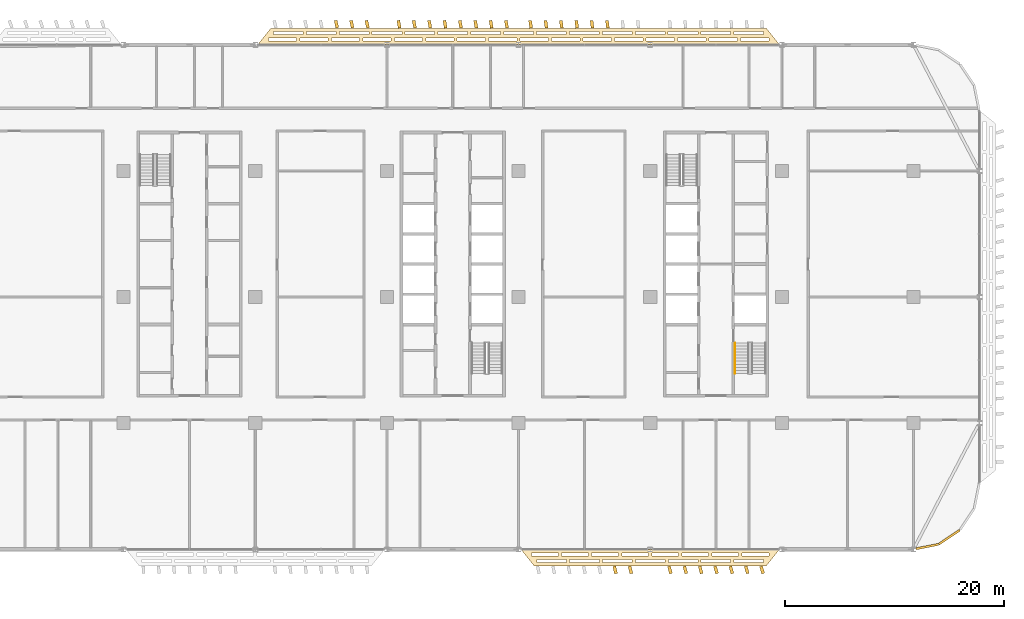
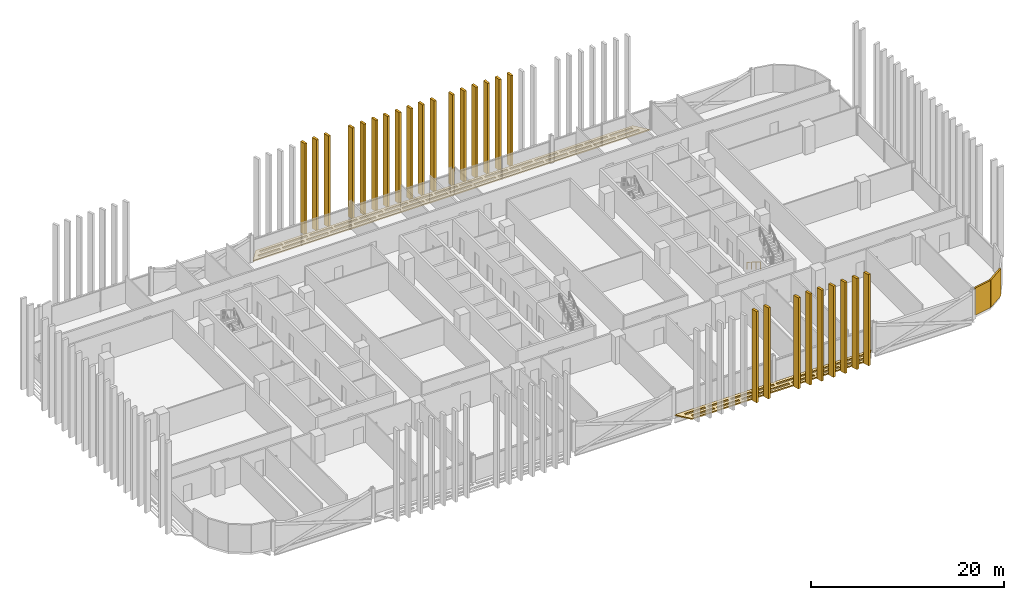
# One storey, part 26 of 28: 30 coverings, 1 railing.
"""IFC4 building model written with IfcOpenShell, lengths in metres."""

from ifc_helpers import new_model, si_unit, direction, frame, origin, origin_2d, place, context, subcontext, project, spatial, polyline, rectangle, circle, outline, extrude, material, layer, layer_set, type_object, element, save


model = new_model("IFC4")

# Units and contexts
model_context = context("Model", 3, precision=1e-05, world=origin(), true_north=direction((0.0, 1.0)))
body_context = subcontext(model_context, "Body", "Model", "MODEL_VIEW")
ifc_project = project(units=[si_unit("LENGTHUNIT", "METRE"), si_unit("AREAUNIT", "SQUARE_METRE"), si_unit("VOLUMEUNIT", "CUBIC_METRE"), si_unit("PLANEANGLEUNIT", "RADIAN"), si_unit("MASSUNIT", "GRAM", prefix="KILO")], contexts=[model_context])

# Site, building, storey
site_placement = place(None, origin())
site = spatial("IfcSite", under=ifc_project, at=site_placement, CompositionType="ELEMENT")
building_placement = place(site_placement, origin())
building = spatial("IfcBuilding", under=site, at=building_placement, Name="Mahtab Terrace Research Tower", CompositionType="ELEMENT")
storey_placement = place(building_placement, frame((0.0, 0.0, 174.39990234375)))
storey = spatial("IfcBuildingStorey", under=building, at=storey_placement, Name="L41", CompositionType="ELEMENT", Elevation=174.39990234375)

# Coverings
ifc_material_1 = material(Name="Black aluminium cladding panel", Category="aluminium")
ifc_layer_1 = layer(ifc_material_1, 0.199951171875)
ifc_layer_set_1 = layer_set([ifc_layer_1], Name="Black metal corner cladding 200")
covering_type_1 = type_object("IfcCoveringType", Name="Black metal corner cladding 200", PredefinedType="CLADDING", material=ifc_layer_set_1)
covering_1_placement = place(storey_placement, frame((43.25830078125, -22.74951171875, 0.0), z_axis=(0.0, 0.0, 1.0), x_axis=(0.980760981187, 0.195212442692, 0.0)))
element("IfcCovering", 1, at=covering_1_placement, inside=storey, type_object=covering_type_1, Name="Corner cladding L41 30", PredefinedType="CLADDING", context=body_context, shape_type="SweptSolid", body=[
    extrude(rectangle(XDim=2.07666015625, YDim=0.199951171875, at=origin_2d()), origin(), (0.0, 0.0, 1.0), 3.4599609375),
])
covering_2_placement = place(storey_placement, frame((45.26953125, -21.89306640625, 0.0), z_axis=(0.0, 0.0, 1.0), x_axis=(0.831655794326, 0.555291490808, 0.0)))
element("IfcCovering", 2, at=covering_2_placement, inside=storey, type_object=covering_type_1, Name="Corner cladding L41 31", PredefinedType="CLADDING", context=body_context, shape_type="SweptSolid", body=[
    extrude(rectangle(XDim=2.30126953125, YDim=0.199951171875, at=origin_2d()), origin(), (0.0, 0.0, 1.0), 3.4599609375),
])
ifc_material_2 = material(Name="Black anodised aluminium", Category="aluminium")
ifc_layer_2 = layer(ifc_material_2, 0.14990234375)
ifc_layer_set_2 = layer_set([ifc_layer_2], Name="Horizontal sunshade band")
covering_type_2 = type_object("IfcCoveringType", Name="Horizontal sunshade band", PredefinedType="CLADDING", material=ifc_layer_set_2)
covering_3_placement = place(storey_placement, frame((0.0, 0.0, -0.14990234375)))
element("IfcCovering", 3, at=covering_3_placement, inside=storey, type_object=covering_type_2, Name="Sunshade band L41 4", PredefinedType="CLADDING", context=body_context, shape_type="SweptSolid", body=[
    extrude(outline(polyline([(29.7919921875, 23.0), (-17.7919921875, 23.0), (-16.592041015625, 24.5), (28.592041015625, 24.5), (29.7919921875, 23.0)]), holes=[polyline([(28.81201171875, 23.35009765625), (26.241943359375, 23.35009765625), (26.241943359375, 23.60009765625), (28.81201171875, 23.60009765625), (28.81201171875, 23.35009765625)]), polyline([(25.94189453125, 23.35009765625), (23.37109375, 23.35009765625), (23.37109375, 23.60009765625), (25.94189453125, 23.60009765625), (25.94189453125, 23.35009765625)]), polyline([(23.072021484375, 23.35009765625), (20.5009765625, 23.35009765625), (20.5009765625, 23.60009765625), (23.072021484375, 23.60009765625), (23.072021484375, 23.35009765625)]), polyline([(20.200927734375, 23.35009765625), (17.631103515625, 23.35009765625), (17.631103515625, 23.60009765625), (20.200927734375, 23.60009765625), (20.200927734375, 23.35009765625)]), polyline([(17.3310546875, 23.35009765625), (14.760986328125, 23.35009765625), (14.760986328125, 23.60009765625), (17.3310546875, 23.60009765625), (17.3310546875, 23.35009765625)]), polyline([(14.4609375, 23.35009765625), (11.889892578125, 23.35009765625), (11.889892578125, 23.60009765625), (14.4609375, 23.60009765625), (14.4609375, 23.35009765625)]), polyline([(11.590087890625, 23.35009765625), (9.02001953125, 23.35009765625), (9.02001953125, 23.60009765625), (11.590087890625, 23.60009765625), (11.590087890625, 23.35009765625)]), polyline([(8.719970703125, 23.35009765625), (6.14990234375, 23.35009765625), (6.14990234375, 23.60009765625), (8.719970703125, 23.60009765625), (8.719970703125, 23.35009765625)]), polyline([(5.85009765625, 23.35009765625), (3.280029296875, 23.35009765625), (3.280029296875, 23.60009765625), (5.85009765625, 23.60009765625), (5.85009765625, 23.35009765625)]), polyline([(2.97998046875, 23.35009765625), (0.408935546875, 23.35009765625), (0.408935546875, 23.60009765625), (2.97998046875, 23.60009765625), (2.97998046875, 23.35009765625)]), polyline([(0.10888671875, 23.35009765625), (-2.4609375, 23.35009765625), (-2.4609375, 23.60009765625), (0.10888671875, 23.60009765625), (0.10888671875, 23.35009765625)]), polyline([(-2.760986328125, 23.35009765625), (-5.3310546875, 23.35009765625), (-5.3310546875, 23.60009765625), (-2.760986328125, 23.60009765625), (-2.760986328125, 23.35009765625)]), polyline([(-5.631103515625, 23.35009765625), (-8.200927734375, 23.35009765625), (-8.200927734375, 23.60009765625), (-5.631103515625, 23.60009765625), (-5.631103515625, 23.35009765625)]), polyline([(-8.5009765625, 23.35009765625), (-11.072021484375, 23.35009765625), (-11.072021484375, 23.60009765625), (-8.5009765625, 23.60009765625), (-8.5009765625, 23.35009765625)]), polyline([(-11.3720703125, 23.35009765625), (-13.94189453125, 23.35009765625), (-13.94189453125, 23.60009765625), (-11.3720703125, 23.60009765625), (-11.3720703125, 23.35009765625)]), polyline([(-14.241943359375, 23.35009765625), (-16.81201171875, 23.35009765625), (-16.81201171875, 23.60009765625), (-14.241943359375, 23.60009765625), (-14.241943359375, 23.35009765625)]), polyline([(28.33203125, 23.949951171875), (25.634033203125, 23.949951171875), (25.634033203125, 24.199951171875), (28.33203125, 24.199951171875), (28.33203125, 23.949951171875)]), polyline([(25.333984375, 23.949951171875), (22.636962890625, 23.949951171875), (22.636962890625, 24.199951171875), (25.333984375, 24.199951171875), (25.333984375, 23.949951171875)]), polyline([(22.3369140625, 23.949951171875), (19.638916015625, 23.949951171875), (19.638916015625, 24.199951171875), (22.3369140625, 24.199951171875), (22.3369140625, 23.949951171875)]), polyline([(19.339111328125, 23.949951171875), (16.64208984375, 23.949951171875), (16.64208984375, 24.199951171875), (19.339111328125, 24.199951171875), (19.339111328125, 23.949951171875)]), polyline([(16.342041015625, 23.949951171875), (13.64404296875, 23.949951171875), (13.64404296875, 24.199951171875), (16.342041015625, 24.199951171875), (16.342041015625, 23.949951171875)]), polyline([(13.343994140625, 23.949951171875), (10.64599609375, 23.949951171875), (10.64599609375, 24.199951171875), (13.343994140625, 24.199951171875), (13.343994140625, 23.949951171875)]), polyline([(10.345947265625, 23.949951171875), (7.64892578125, 23.949951171875), (7.64892578125, 24.199951171875), (10.345947265625, 24.199951171875), (10.345947265625, 23.949951171875)]), polyline([(7.34912109375, 23.949951171875), (4.65087890625, 23.949951171875), (4.65087890625, 24.199951171875), (7.34912109375, 24.199951171875), (7.34912109375, 23.949951171875)]), polyline([(4.35107421875, 23.949951171875), (1.654052734375, 23.949951171875), (1.654052734375, 24.199951171875), (4.35107421875, 24.199951171875), (4.35107421875, 23.949951171875)]), polyline([(1.35400390625, 23.949951171875), (-1.343994140625, 23.949951171875), (-1.343994140625, 24.199951171875), (1.35400390625, 24.199951171875), (1.35400390625, 23.949951171875)]), polyline([(-1.64404296875, 23.949951171875), (-4.342041015625, 23.949951171875), (-4.342041015625, 24.199951171875), (-1.64404296875, 24.199951171875), (-1.64404296875, 23.949951171875)]), polyline([(-4.64208984375, 23.949951171875), (-7.339111328125, 23.949951171875), (-7.339111328125, 24.199951171875), (-4.64208984375, 24.199951171875), (-4.64208984375, 23.949951171875)]), polyline([(-7.638916015625, 23.949951171875), (-10.3369140625, 23.949951171875), (-10.3369140625, 24.199951171875), (-7.638916015625, 24.199951171875), (-7.638916015625, 23.949951171875)]), polyline([(-10.636962890625, 23.949951171875), (-13.333984375, 23.949951171875), (-13.333984375, 24.199951171875), (-10.636962890625, 24.199951171875), (-10.636962890625, 23.949951171875)]), polyline([(-13.634033203125, 23.949951171875), (-16.33203125, 23.949951171875), (-16.33203125, 24.199951171875), (-13.634033203125, 24.199951171875), (-13.634033203125, 23.949951171875)])]), origin(), (0.0, 0.0, 1.0), 0.14990234375),
])
covering_4_placement = place(storey_placement, frame((0.0, 0.0, -0.14990234375)))
element("IfcCovering", 4, at=covering_4_placement, inside=storey, type_object=covering_type_2, Name="Sunshade band L41 27", PredefinedType="CLADDING", context=body_context, shape_type="SweptSolid", body=[
    extrude(outline(polyline([(6.2080078125, -23.0), (29.7919921875, -23.0), (28.592041015625, -24.5), (7.407958984375, -24.5), (6.2080078125, -23.0)]), holes=[polyline([(7.18798828125, -23.35009765625), (9.6279296875, -23.35009765625), (9.6279296875, -23.60009765625), (7.18798828125, -23.60009765625), (7.18798828125, -23.35009765625)]), polyline([(9.927978515625, -23.35009765625), (12.368896484375, -23.35009765625), (12.368896484375, -23.60009765625), (9.927978515625, -23.60009765625), (9.927978515625, -23.35009765625)]), polyline([(12.6689453125, -23.35009765625), (15.10888671875, -23.35009765625), (15.10888671875, -23.60009765625), (12.6689453125, -23.60009765625), (12.6689453125, -23.35009765625)]), polyline([(15.408935546875, -23.35009765625), (17.85009765625, -23.35009765625), (17.85009765625, -23.60009765625), (15.408935546875, -23.60009765625), (15.408935546875, -23.35009765625)]), polyline([(18.14990234375, -23.35009765625), (20.590087890625, -23.35009765625), (20.590087890625, -23.60009765625), (18.14990234375, -23.60009765625), (18.14990234375, -23.35009765625)]), polyline([(20.889892578125, -23.35009765625), (23.3310546875, -23.35009765625), (23.3310546875, -23.60009765625), (20.889892578125, -23.60009765625), (20.889892578125, -23.35009765625)]), polyline([(23.631103515625, -23.35009765625), (26.072021484375, -23.35009765625), (26.072021484375, -23.60009765625), (23.631103515625, -23.60009765625), (23.631103515625, -23.35009765625)]), polyline([(26.37109375, -23.35009765625), (28.81201171875, -23.35009765625), (28.81201171875, -23.60009765625), (26.37109375, -23.60009765625), (26.37109375, -23.35009765625)]), polyline([(7.66796875, -23.949951171875), (10.363037109375, -23.949951171875), (10.363037109375, -24.199951171875), (7.66796875, -24.199951171875), (7.66796875, -23.949951171875)]), polyline([(10.6630859375, -23.949951171875), (13.35791015625, -23.949951171875), (13.35791015625, -24.199951171875), (10.6630859375, -24.199951171875), (10.6630859375, -23.949951171875)]), polyline([(13.657958984375, -23.949951171875), (16.35302734375, -23.949951171875), (16.35302734375, -24.199951171875), (13.657958984375, -24.199951171875), (13.657958984375, -23.949951171875)]), polyline([(16.653076171875, -23.949951171875), (19.346923828125, -23.949951171875), (19.346923828125, -24.199951171875), (16.653076171875, -24.199951171875), (16.653076171875, -23.949951171875)]), polyline([(19.64697265625, -23.949951171875), (22.342041015625, -23.949951171875), (22.342041015625, -24.199951171875), (19.64697265625, -24.199951171875), (19.64697265625, -23.949951171875)]), polyline([(22.64208984375, -23.949951171875), (25.3369140625, -23.949951171875), (25.3369140625, -24.199951171875), (22.64208984375, -24.199951171875), (22.64208984375, -23.949951171875)]), polyline([(25.636962890625, -23.949951171875), (28.33203125, -23.949951171875), (28.33203125, -24.199951171875), (25.636962890625, -24.199951171875), (25.636962890625, -23.949951171875)])]), origin(), (0.0, 0.0, 1.0), 0.14990234375),
])

# Railing
ifc_material_3 = material(Name="Stainless steel AISI 304", Category="steel")
railing_type = type_object("IfcRailingType", Name="Stair handrail 900", PredefinedType="HANDRAIL", material=ifc_material_3)
railing_placement = place(storey_placement, frame((25.75, -4.175048828125, 0.1728515625)))
element("IfcRailing", 5, at=railing_placement, inside=storey, type_object=railing_type, Name="L41 ST4 stair handrail 1", PredefinedType="HANDRAIL", context=body_context, shape_type="SweptSolid", body=[
    extrude(circle(Radius=0.02392578125, at=origin_2d()), frame((0.0, 0.0, 0.8759765625), z_axis=(0.0, -0.851089632645, 0.525020415988), x_axis=(1.0, 0.0, 0.0)), (0.0, 0.0, 1.0), 3.2900390625),
    extrude(circle(Radius=0.02099609375, at=origin_2d()), origin(), (0.0, 0.0, 1.0), 0.851806640625),
    extrude(circle(Radius=0.02099609375, at=origin_2d()), frame((0.0, -0.933349609375, 0.57568359375)), (0.0, 0.0, 1.0), 0.851806640625),
    extrude(circle(Radius=0.02099609375, at=origin_2d()), frame((0.0, -1.86669921875, 1.151611328125)), (0.0, 0.0, 1.0), 0.851806640625),
    extrude(circle(Radius=0.02099609375, at=origin_2d()), frame((0.0, -2.800048828125, 1.727294921875)), (0.0, 0.0, 1.0), 0.851806640625),
])

# Coverings
ifc_material_4 = material(Name="Bronze anodised aluminium", Category="aluminium")
ifc_layer_3 = layer(ifc_material_4, 0.1201171875)
ifc_layer_set_3 = layer_set([ifc_layer_3], Name="Vertical fin 700")
covering_type_3 = type_object("IfcCoveringType", Name="Vertical fin 700", PredefinedType="CLADDING", material=ifc_layer_set_3)
for number, where, z_axis, x_axis, name in (
    (6, (14.10009765625, 24.86376953125, -0.14990234375), (0.0, 0.0, 1.0), (-0.993286514924, -0.115680159363, 0.0), "Fin L41 N3"),
    (7, (12.699951171875, 24.864501953125, -0.14990234375), (0.0, 0.0, 1.0), (-0.992596709305, -0.121456875788, 0.0), "Fin L41 N4"),
    (8, (11.300048828125, 24.864990234375, -0.14990234375), (0.0, 0.0, 1.0), (-0.991873307974, -0.127229481366, 0.0), "Fin L41 N5"),
    (9, (9.89990234375, 24.865478515625, -0.14990234375), (0.0, 0.0, 1.0), (-0.991116335419, -0.132997780682, 0.0), "Fin L41 N6"),
    (10, (8.5, 24.865966796875, -0.14990234375), (0.0, 0.0, 1.0), (-0.990325817258, -0.138761578517, 0.0), "Fin L41 N7"),
    (11, (7.10009765625, 24.866455078125, -0.14990234375), (0.0, 0.0, 1.0), (-0.989501780245, -0.144520679805, 0.0), "Fin L41 N8"),
    (12, (4.89990234375, 24.867431640625, -0.14990234375), (0.0, 0.0, 1.0), (-0.988139210661, -0.153560738323, 0.0), "Fin L41 N1"),
    (13, (3.5, 24.867919921875, -0.14990234375), (0.0, 0.0, 1.0), (-0.987229113116, -0.159306868073, 0.0), "Fin L41 N2"),
    (14, (2.10009765625, 24.868408203125, -0.14990234375), (0.0, 0.0, 1.0), (-0.986285601537, -0.165047605861, 0.0), "Fin L41 N3"),
    (15, (0.699951171875, 24.86865234375, -0.14990234375), (0.0, 0.0, 1.0), (-0.985308707855, -0.1707827574, 0.0), "Fin L41 N4"),
    (16, (-0.699951171875, 24.869140625, -0.14990234375), (0.0, 0.0, 1.0), (-0.984298465131, -0.176512128594, 0.0), "Fin L41 N5"),
    (17, (-2.10009765625, 24.86962890625, -0.14990234375), (0.0, 0.0, 1.0), (-0.983254907564, -0.182235525492, 0.0), "Fin L41 N6"),
    (18, (-3.5, 24.8701171875, -0.14990234375), (0.0, 0.0, 1.0), (-0.982178070472, -0.187952754394, 0.0), "Fin L41 N7"),
    (19, (-4.89990234375, 24.87060546875, -0.14990234375), (0.0, 0.0, 1.0), (-0.981067990298, -0.193663621811, 0.0), "Fin L41 N8"),
    (20, (-7.800048828125, 24.871337890625, -0.14990234375), (0.0, 0.0, 1.0), (-0.978662951719, -0.205472204767, 0.0), "Fin L41 N1"),
    (21, (-9.199951171875, 24.87158203125, -0.14990234375), (0.0, 0.0, 1.0), (-0.97745100758, -0.211162325667, 0.0), "Fin L41 N2"),
    (22, (-10.60009765625, 24.8720703125, -0.14990234375), (0.0, 0.0, 1.0), (-0.976205980352, -0.216845299523, 0.0), "Fin L41 N3"),
    (23, (14.800048828125, -24.873046875, -0.14990234375), (0.0, 0.0, 1.0), (0.972272827152, 0.233849416469, 0.0), "Fin L41 S6"),
    (24, (16.199951171875, -24.873291015625, -0.14990234375), (0.0, 0.0, 1.0), (0.970895900159, 0.239501881108, 0.0), "Fin L41 S7"),
    (25, (19.800048828125, -24.8740234375, -0.14990234375), (0.0, 0.0, 1.0), (0.967204452546, 0.253999108219, 0.0), "Fin L41 S1"),
    (26, (21.199951171875, -24.874267578125, -0.14990234375), (0.0, 0.0, 1.0), (0.965710385828, 0.259621745437, 0.0), "Fin L41 S2"),
    (27, (22.60009765625, -24.87451171875, -0.14990234375), (0.0, 0.0, 1.0), (0.964183633406, 0.265235595407, 0.0), "Fin L41 S3"),
    (28, (24.0, -24.874755859375, -0.14990234375), (0.0, 0.0, 1.0), (0.962624246951, 0.270840468138, 0.0), "Fin L41 S4"),
    (29, (25.39990234375, -24.875, -0.14990234375), (0.0, 0.0, 1.0), (0.961032279237, 0.276436173942, 0.0), "Fin L41 S5"),
    (30, (26.800048828125, -24.875244140625, -0.14990234375), (0.0, 0.0, 1.0), (0.959407784156, 0.282022523392, 0.0), "Fin L41 S6"),
    (31, (28.199951171875, -24.87548828125, -0.14990234375), (0.0, 0.0, 1.0), (0.957750816686, 0.287599327427, 0.0), "Fin L41 S7"),
):
    element("IfcCovering", number, at=place(storey_placement, frame(where, z_axis=z_axis, x_axis=x_axis)), inside=storey, type_object=covering_type_3, Name=name, PredefinedType="CLADDING", context=body_context, shape_type="SweptSolid", body=[
        extrude(rectangle(XDim=0.280029296875, YDim=0.699951171875, at=origin_2d()), origin(), (0.0, 0.0, 1.0), 11.550048828125),
    ])

save(model, "model.ifc")
